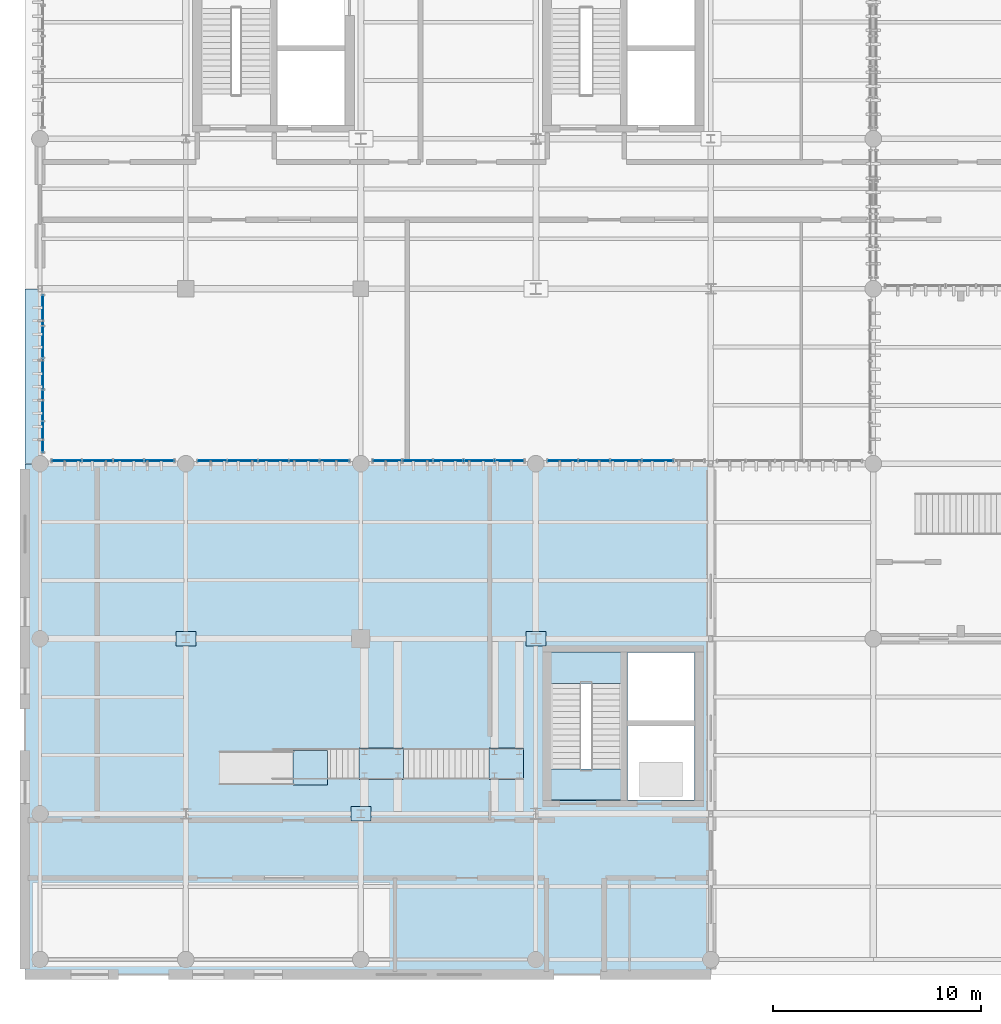
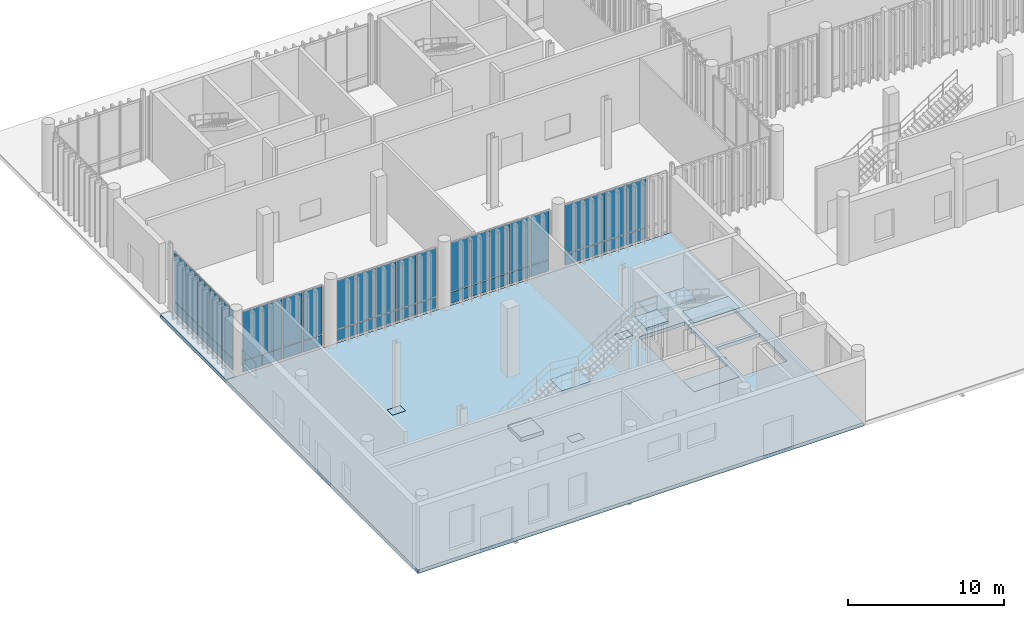
# One storey, part 75 of 112: 49 plates, 8 slabs, 7 elements without a shape of their own.
"""IFC4 building model written with IfcOpenShell, lengths in metres."""

from ifc_helpers import new_model, si_unit, direction, frame, frame_2d, origin_with_axes, origin_2d_with_axis, place, context, subcontext, project, spatial, polyline, rectangle, outline, extrude, material, layer, layer_set, type_object, element, aggregate, save


model = new_model("IFC4")

# Units and contexts
model_context = context("Model", 3, precision=1e-05, world=origin_with_axes(), true_north=direction((0.0, 1.0)))
body_context = subcontext(model_context, "Body", "Model", "MODEL_VIEW")
ifc_project = project(units=[si_unit("LENGTHUNIT", "METRE"), si_unit("AREAUNIT", "SQUARE_METRE"), si_unit("VOLUMEUNIT", "CUBIC_METRE"), si_unit("PLANEANGLEUNIT", "RADIAN"), si_unit("MASSUNIT", "GRAM", prefix="KILO"), si_unit("THERMODYNAMICTEMPERATUREUNIT", "KELVIN")], contexts=[model_context])

# Site, building, storey
site_placement = place(None, origin_with_axes())
site = spatial("IfcSite", under=ifc_project, at=site_placement, CompositionType="ELEMENT")
building_placement = place(site_placement, origin_with_axes())
building = spatial("IfcBuilding", under=site, at=building_placement, Name="Montbau Bow Law Courts", CompositionType="ELEMENT")
storey_placement = place(building_placement, origin_with_axes())
storey = spatial("IfcBuildingStorey", under=building, at=storey_placement, Name="L00", CompositionType="ELEMENT", Elevation=0.0)

# Plates
ifc_material_1 = material(Name="Steel CSA G40.21 Grade 350W (350 MPa)", Category="steel")
ifc_layer_1 = layer(ifc_material_1, 0.05, Name="Base Plate", Category="steel")
ifc_layer_set_1 = layer_set([ifc_layer_1], Name="Steel CSA G40.21 Grade 350W (350 MPa)")
plate_type_1 = type_object("IfcPlateType", Name="PL-BAS-02", PredefinedType="USERDEFINED", material=ifc_layer_set_1)
for number, where, z_axis, x_axis, name in (
    (1, (13.8, 22.2, -0.05), (0.0, 0.0, 1.0), (1.0, 0.0, 0.0), "BP-194:plt_0001"),
    (2, (22.2, 13.8, -0.05), (0.0, 0.0, 1.0), (1.0, 0.0, 0.0), "BP-200:plt_0002"),
    (3, (30.6, 22.2, -0.05), (0.0, 0.0, 1.0), (1.0, 0.0, 0.0), "BP-208:plt_0004"),
):
    element("IfcPlate", number, at=place(None, frame(where, z_axis=z_axis, x_axis=x_axis)), inside=storey, type_object=plate_type_1, Name=name, ObjectType="BASE_PLATE", PredefinedType="USERDEFINED", context=body_context, shape_type="SweptSolid", body=[
        extrude(rectangle(XDim=0.96, YDim=0.68, at=origin_2d_with_axis()), origin_with_axes(), (0.0, 0.0, 1.0), 0.05),
    ])

# Curtain wall, plates
ifc_material_2 = material(Name="Thermally Broken Extruded Aluminium AA 6063-T6", Category="aluminium")
curtain_wall_type = type_object("IfcCurtainWallType", Name="CW-TRC-01", PredefinedType="NOTDEFINED", material=ifc_material_2)
curtain_wall_1_placement = place(None, frame((7.315, 30.74, 0.0), z_axis=(0.0, 0.0, 1.0), x_axis=(1.0, 0.0, 0.0)))
curtain_wall_1 = element("IfcCurtainWall", 4, at=curtain_wall_1_placement, inside=storey, type_object=curtain_wall_type, Name="CW-L00-001:cw_0001", PredefinedType="NOTDEFINED")
ifc_material_3 = material(Name="Triple-Glazed Low-E Argon Insulating Glass Unit", Category="glass")
ifc_layer_2 = layer(ifc_material_3, 0.044, Name="Curtain Panel", Category="glass")
ifc_layer_set_2 = layer_set([ifc_layer_2], Name="Triple-Glazed Low-E Argon Insulating Glass Unit")
plate_type_2 = type_object("IfcPlateType", Name="PL-CWP-01", PredefinedType="CURTAIN_PANEL", material=ifc_layer_set_2)
plate_1_placement = place(None, frame((7.383, 30.74, 0.979), z_axis=(0.0, -1.0, 0.0), x_axis=(1.0, 0.0, 0.0)))
plate_1 = element("IfcPlate", 5, at=plate_1_placement, type_object=plate_type_2, Name="CW-L00-001-P01-2:cw_0001_P01_2", PredefinedType="CURTAIN_PANEL", context=body_context, shape_type="SweptSolid", body=[
    extrude(rectangle(XDim=1.39, YDim=3.785, at=frame_2d((0.695, 1.8925), x_axis=(1.0, 0.0))), frame((0.0, 0.0, -0.022), z_axis=(0.0, 0.0, 1.0), x_axis=(1.0, 0.0, 0.0)), (0.0, 0.0, 1.0), 0.044),
])
plate_2_placement = place(None, frame((8.841, 30.74, 0.979), z_axis=(0.0, -1.0, 0.0), x_axis=(1.0, 0.0, 0.0)))
plate_2 = element("IfcPlate", 6, at=plate_2_placement, type_object=plate_type_2, Name="CW-L00-001-P02-2:cw_0001_P02_2", PredefinedType="CURTAIN_PANEL", context=body_context, shape_type="SweptSolid", body=[
    extrude(rectangle(XDim=1.424, YDim=3.785, at=frame_2d((0.712, 1.8925), x_axis=(1.0, 0.0))), frame((0.0, 0.0, -0.022), z_axis=(0.0, 0.0, 1.0), x_axis=(1.0, 0.0, 0.0)), (0.0, 0.0, 1.0), 0.044),
])
plate_3_placement = place(None, frame((10.334, 30.74, 0.979), z_axis=(0.0, -1.0, 0.0), x_axis=(1.0, 0.0, 0.0)))
plate_3 = element("IfcPlate", 7, at=plate_3_placement, type_object=plate_type_2, Name="CW-L00-001-P03-2:cw_0001_P03_2", PredefinedType="CURTAIN_PANEL", context=body_context, shape_type="SweptSolid", body=[
    extrude(rectangle(XDim=1.425, YDim=3.785, at=frame_2d((0.7125, 1.8925), x_axis=(1.0, 0.0))), frame((0.0, 0.0, -0.022), z_axis=(0.0, 0.0, 1.0), x_axis=(1.0, 0.0, 0.0)), (0.0, 0.0, 1.0), 0.044),
])
plate_4_placement = place(None, frame((11.827, 30.74, 0.979), z_axis=(0.0, -1.0, 0.0), x_axis=(1.0, 0.0, 0.0)))
plate_4 = element("IfcPlate", 8, at=plate_4_placement, type_object=plate_type_2, Name="CW-L00-001-P04-2:cw_0001_P04_2", PredefinedType="CURTAIN_PANEL", context=body_context, shape_type="SweptSolid", body=[
    extrude(rectangle(XDim=1.392, YDim=3.785, at=frame_2d((0.696, 1.8925), x_axis=(1.0, 0.0))), frame((0.0, 0.0, -0.022), z_axis=(0.0, 0.0, 1.0), x_axis=(1.0, 0.0, 0.0)), (0.0, 0.0, 1.0), 0.044),
])

curtain_wall_2_placement = place(None, frame((14.315, 30.74, 0.0), z_axis=(0.0, 0.0, 1.0), x_axis=(1.0, 0.0, 0.0)))
curtain_wall_2 = element("IfcCurtainWall", 9, at=curtain_wall_2_placement, inside=storey, type_object=curtain_wall_type, Name="CW-L00-002:cw_0002", PredefinedType="NOTDEFINED")
plate_5_placement = place(None, frame((14.377, 30.74, 0.982), z_axis=(0.0, -1.0, 0.0), x_axis=(1.0, 0.0, 0.0)))
plate_5 = element("IfcPlate", 10, at=plate_5_placement, type_object=plate_type_2, Name="CW-L00-002-P01-2:cw_0002_P01_2", PredefinedType="CURTAIN_PANEL", context=body_context, shape_type="SweptSolid", body=[
    extrude(rectangle(XDim=1.38, YDim=3.776, at=frame_2d((0.69, 1.888), x_axis=(1.0, 0.0))), frame((0.0, 0.0, -0.022), z_axis=(0.0, 0.0, 1.0), x_axis=(1.0, 0.0, 0.0)), (0.0, 0.0, 1.0), 0.044),
])
plate_6_placement = place(None, frame((15.821, 30.74, 0.982), z_axis=(0.0, -1.0, 0.0), x_axis=(1.0, 0.0, 0.0)))
plate_6 = element("IfcPlate", 11, at=plate_6_placement, type_object=plate_type_2, Name="CW-L00-002-P02-2:cw_0002_P02_2", PredefinedType="CURTAIN_PANEL", context=body_context, shape_type="SweptSolid", body=[
    extrude(rectangle(XDim=1.41, YDim=3.776, at=frame_2d((0.705, 1.888), x_axis=(1.0, 0.0))), frame((0.0, 0.0, -0.022), z_axis=(0.0, 0.0, 1.0), x_axis=(1.0, 0.0, 0.0)), (0.0, 0.0, 1.0), 0.044),
])
plate_7_placement = place(None, frame((17.295, 30.74, 0.982), z_axis=(0.0, -1.0, 0.0), x_axis=(1.0, 0.0, 0.0)))
plate_7 = element("IfcPlate", 12, at=plate_7_placement, type_object=plate_type_2, Name="CW-L00-002-P03-2:cw_0002_P03_2", PredefinedType="CURTAIN_PANEL", context=body_context, shape_type="SweptSolid", body=[
    extrude(rectangle(XDim=1.41, YDim=3.776, at=frame_2d((0.705, 1.888), x_axis=(1.0, 0.0))), frame((0.0, 0.0, -0.022), z_axis=(0.0, 0.0, 1.0), x_axis=(1.0, 0.0, 0.0)), (0.0, 0.0, 1.0), 0.044),
])
plate_8_placement = place(None, frame((18.769, 30.74, 0.982), z_axis=(0.0, -1.0, 0.0), x_axis=(1.0, 0.0, 0.0)))
plate_8 = element("IfcPlate", 13, at=plate_8_placement, type_object=plate_type_2, Name="CW-L00-002-P04-2:cw_0002_P04_2", PredefinedType="CURTAIN_PANEL", context=body_context, shape_type="SweptSolid", body=[
    extrude(rectangle(XDim=1.41, YDim=3.776, at=frame_2d((0.705, 1.888), x_axis=(1.0, 0.0))), frame((0.0, 0.0, -0.022), z_axis=(0.0, 0.0, 1.0), x_axis=(1.0, 0.0, 0.0)), (0.0, 0.0, 1.0), 0.044),
])
plate_9_placement = place(None, frame((20.243, 30.74, 0.982), z_axis=(0.0, -1.0, 0.0), x_axis=(1.0, 0.0, 0.0)))
plate_9 = element("IfcPlate", 14, at=plate_9_placement, type_object=plate_type_2, Name="CW-L00-002-P05-2:cw_0002_P05_2", PredefinedType="CURTAIN_PANEL", context=body_context, shape_type="SweptSolid", body=[
    extrude(rectangle(XDim=1.38, YDim=3.776, at=frame_2d((0.69, 1.888), x_axis=(1.0, 0.0))), frame((0.0, 0.0, -0.022), z_axis=(0.0, 0.0, 1.0), x_axis=(1.0, 0.0, 0.0)), (0.0, 0.0, 1.0), 0.044),
])

curtain_wall_3_placement = place(None, frame((22.715, 30.74, 0.0), z_axis=(0.0, 0.0, 1.0), x_axis=(1.0, 0.0, 0.0)))
curtain_wall_3 = element("IfcCurtainWall", 15, at=curtain_wall_3_placement, inside=storey, type_object=curtain_wall_type, Name="CW-L00-003:cw_0003", PredefinedType="NOTDEFINED")
plate_10_placement = place(None, frame((22.791, 30.74, 0.979), z_axis=(0.0, -1.0, 0.0), x_axis=(1.0, 0.0, 0.0)))
plate_10 = element("IfcPlate", 16, at=plate_10_placement, type_object=plate_type_2, Name="CW-L00-003-P01-2:cw_0003_P01_2", PredefinedType="CURTAIN_PANEL", context=body_context, shape_type="SweptSolid", body=[
    extrude(rectangle(XDim=1.358, YDim=3.785, at=frame_2d((0.679, 1.8925), x_axis=(1.0, 0.0))), frame((0.0, 0.0, -0.022), z_axis=(0.0, 0.0, 1.0), x_axis=(1.0, 0.0, 0.0)), (0.0, 0.0, 1.0), 0.044),
])
plate_11_placement = place(None, frame((24.229, 30.74, 0.979), z_axis=(0.0, -1.0, 0.0), x_axis=(1.0, 0.0, 0.0)))
plate_11 = element("IfcPlate", 17, at=plate_11_placement, type_object=plate_type_2, Name="CW-L00-003-P02-2:cw_0003_P02_2", PredefinedType="CURTAIN_PANEL", context=body_context, shape_type="SweptSolid", body=[
    extrude(rectangle(XDim=1.395, YDim=3.785, at=frame_2d((0.6975, 1.8925), x_axis=(1.0, 0.0))), frame((0.0, 0.0, -0.022), z_axis=(0.0, 0.0, 1.0), x_axis=(1.0, 0.0, 0.0)), (0.0, 0.0, 1.0), 0.044),
])
plate_12_placement = place(None, frame((25.702, 30.74, 0.979), z_axis=(0.0, -1.0, 0.0), x_axis=(1.0, 0.0, 0.0)))
plate_12 = element("IfcPlate", 18, at=plate_12_placement, type_object=plate_type_2, Name="CW-L00-003-P03-2:cw_0003_P03_2", PredefinedType="CURTAIN_PANEL", context=body_context, shape_type="SweptSolid", body=[
    extrude(rectangle(XDim=1.396, YDim=3.785, at=frame_2d((0.698, 1.8925), x_axis=(1.0, 0.0))), frame((0.0, 0.0, -0.022), z_axis=(0.0, 0.0, 1.0), x_axis=(1.0, 0.0, 0.0)), (0.0, 0.0, 1.0), 0.044),
])
plate_13_placement = place(None, frame((27.176, 30.74, 0.979), z_axis=(0.0, -1.0, 0.0), x_axis=(1.0, 0.0, 0.0)))
plate_13 = element("IfcPlate", 19, at=plate_13_placement, type_object=plate_type_2, Name="CW-L00-003-P04-2:cw_0003_P04_2", PredefinedType="CURTAIN_PANEL", context=body_context, shape_type="SweptSolid", body=[
    extrude(rectangle(XDim=1.396, YDim=3.785, at=frame_2d((0.698, 1.8925), x_axis=(1.0, 0.0))), frame((0.0, 0.0, -0.022), z_axis=(0.0, 0.0, 1.0), x_axis=(1.0, 0.0, 0.0)), (0.0, 0.0, 1.0), 0.044),
])
plate_14_placement = place(None, frame((28.65, 30.74, 0.979), z_axis=(0.0, -1.0, 0.0), x_axis=(1.0, 0.0, 0.0)))
plate_14 = element("IfcPlate", 20, at=plate_14_placement, type_object=plate_type_2, Name="CW-L00-003-P05-2:cw_0003_P05_2", PredefinedType="CURTAIN_PANEL", context=body_context, shape_type="SweptSolid", body=[
    extrude(rectangle(XDim=1.359, YDim=3.785, at=frame_2d((0.6795, 1.8925), x_axis=(1.0, 0.0))), frame((0.0, 0.0, -0.022), z_axis=(0.0, 0.0, 1.0), x_axis=(1.0, 0.0, 0.0)), (0.0, 0.0, 1.0), 0.044),
])

curtain_wall_4_placement = place(None, frame((31.115, 30.74, 0.0), z_axis=(0.0, 0.0, 1.0), x_axis=(1.0, 0.0, 0.0)))
curtain_wall_4 = element("IfcCurtainWall", 21, at=curtain_wall_4_placement, inside=storey, type_object=curtain_wall_type, Name="CW-L00-004:cw_0004", PredefinedType="NOTDEFINED")
plate_15_placement = place(None, frame((31.183, 30.74, 0.982), z_axis=(0.0, -1.0, 0.0), x_axis=(1.0, 0.0, 0.0)))
plate_15 = element("IfcPlate", 22, at=plate_15_placement, type_object=plate_type_2, Name="CW-L00-004-P01-2:cw_0004_P01_2", PredefinedType="CURTAIN_PANEL", context=body_context, shape_type="SweptSolid", body=[
    extrude(rectangle(XDim=1.42, YDim=3.776, at=frame_2d((0.71, 1.888), x_axis=(1.0, 0.0))), frame((0.0, 0.0, -0.022), z_axis=(0.0, 0.0, 1.0), x_axis=(1.0, 0.0, 0.0)), (0.0, 0.0, 1.0), 0.044),
])
plate_16_placement = place(None, frame((32.672, 30.74, 0.982), z_axis=(0.0, -1.0, 0.0), x_axis=(1.0, 0.0, 0.0)))
plate_16 = element("IfcPlate", 23, at=plate_16_placement, type_object=plate_type_2, Name="CW-L00-004-P02-2:cw_0004_P02_2", PredefinedType="CURTAIN_PANEL", context=body_context, shape_type="SweptSolid", body=[
    extrude(rectangle(XDim=1.456, YDim=3.776, at=frame_2d((0.728, 1.888), x_axis=(1.0, 0.0))), frame((0.0, 0.0, -0.022), z_axis=(0.0, 0.0, 1.0), x_axis=(1.0, 0.0, 0.0)), (0.0, 0.0, 1.0), 0.044),
])
plate_17_placement = place(None, frame((34.197, 30.74, 0.982), z_axis=(0.0, -1.0, 0.0), x_axis=(1.0, 0.0, 0.0)))
plate_17 = element("IfcPlate", 24, at=plate_17_placement, type_object=plate_type_2, Name="CW-L00-004-P03-2:cw_0004_P03_2", PredefinedType="CURTAIN_PANEL", context=body_context, shape_type="SweptSolid", body=[
    extrude(rectangle(XDim=1.454, YDim=3.776, at=frame_2d((0.727, 1.888), x_axis=(1.0, 0.0))), frame((0.0, 0.0, -0.022), z_axis=(0.0, 0.0, 1.0), x_axis=(1.0, 0.0, 0.0)), (0.0, 0.0, 1.0), 0.044),
])
plate_18_placement = place(None, frame((35.719, 30.74, 0.982), z_axis=(0.0, -1.0, 0.0), x_axis=(1.0, 0.0, 0.0)))
plate_18 = element("IfcPlate", 25, at=plate_18_placement, type_object=plate_type_2, Name="CW-L00-004-P04-2:cw_0004_P04_2", PredefinedType="CURTAIN_PANEL", context=body_context, shape_type="SweptSolid", body=[
    extrude(rectangle(XDim=1.456, YDim=3.776, at=frame_2d((0.728, 1.888), x_axis=(1.0, 0.0))), frame((0.0, 0.0, -0.022), z_axis=(0.0, 0.0, 1.0), x_axis=(1.0, 0.0, 0.0)), (0.0, 0.0, 1.0), 0.044),
])

curtain_wall_5_placement = place(None, frame((6.94, 31.115, 0.0), z_axis=(0.0, 0.0, 1.0), x_axis=(1.0, 0.0, 0.0)))
curtain_wall_5 = element("IfcCurtainWall", 26, at=curtain_wall_5_placement, inside=storey, type_object=curtain_wall_type, Name="CW-L00-011:cw_0011", PredefinedType="NOTDEFINED")
plate_19_placement = place(None, frame((6.94, 31.177, 0.979), z_axis=(1.0, 0.0, 0.0), x_axis=(0.0, 1.0, 0.0)))
plate_19 = element("IfcPlate", 27, at=plate_19_placement, type_object=plate_type_2, Name="CW-L00-011-P01-2:cw_0011_P01_2", PredefinedType="CURTAIN_PANEL", context=body_context, shape_type="SweptSolid", body=[
    extrude(rectangle(XDim=1.429, YDim=3.785, at=frame_2d((0.7145, 1.8925), x_axis=(1.0, 0.0))), frame((0.0, 0.0, -0.022), z_axis=(0.0, 0.0, 1.0), x_axis=(1.0, 0.0, 0.0)), (0.0, 0.0, 1.0), 0.044),
])
plate_20_placement = place(None, frame((6.94, 32.67, 0.979), z_axis=(1.0, 0.0, 0.0), x_axis=(0.0, 1.0, 0.0)))
plate_20 = element("IfcPlate", 28, at=plate_20_placement, type_object=plate_type_2, Name="CW-L00-011-P02-2:cw_0011_P02_2", PredefinedType="CURTAIN_PANEL", context=body_context, shape_type="SweptSolid", body=[
    extrude(rectangle(XDim=1.46, YDim=3.785, at=frame_2d((0.73, 1.8925), x_axis=(1.0, 0.0))), frame((0.0, 0.0, -0.022), z_axis=(0.0, 0.0, 1.0), x_axis=(1.0, 0.0, 0.0)), (0.0, 0.0, 1.0), 0.044),
])
plate_21_placement = place(None, frame((6.94, 34.194, 0.979), z_axis=(1.0, 0.0, 0.0), x_axis=(0.0, 1.0, 0.0)))
plate_21 = element("IfcPlate", 29, at=plate_21_placement, type_object=plate_type_2, Name="CW-L00-011-P03-2:cw_0011_P03_2", PredefinedType="CURTAIN_PANEL", context=body_context, shape_type="SweptSolid", body=[
    extrude(rectangle(XDim=1.459, YDim=3.785, at=frame_2d((0.7295, 1.8925), x_axis=(1.0, 0.0))), frame((0.0, 0.0, -0.022), z_axis=(0.0, 0.0, 1.0), x_axis=(1.0, 0.0, 0.0)), (0.0, 0.0, 1.0), 0.044),
])
plate_22_placement = place(None, frame((6.94, 35.717, 0.979), z_axis=(1.0, 0.0, 0.0), x_axis=(0.0, 1.0, 0.0)))
plate_22 = element("IfcPlate", 30, at=plate_22_placement, type_object=plate_type_2, Name="CW-L00-011-P04-2:cw_0011_P04_2", PredefinedType="CURTAIN_PANEL", context=body_context, shape_type="SweptSolid", body=[
    extrude(rectangle(XDim=1.46, YDim=3.785, at=frame_2d((0.73, 1.8925), x_axis=(1.0, 0.0))), frame((0.0, 0.0, -0.022), z_axis=(0.0, 0.0, 1.0), x_axis=(1.0, 0.0, 0.0)), (0.0, 0.0, 1.0), 0.044),
])
plate_23_placement = place(None, frame((6.94, 37.241, 0.979), z_axis=(1.0, 0.0, 0.0), x_axis=(0.0, 1.0, 0.0)))
plate_23 = element("IfcPlate", 31, at=plate_23_placement, type_object=plate_type_2, Name="CW-L00-011-P05-2:cw_0011_P05_2", PredefinedType="CURTAIN_PANEL", context=body_context, shape_type="SweptSolid", body=[
    extrude(rectangle(XDim=1.429, YDim=3.785, at=frame_2d((0.7145, 1.8925), x_axis=(1.0, 0.0))), frame((0.0, 0.0, -0.022), z_axis=(0.0, 0.0, 1.0), x_axis=(1.0, 0.0, 0.0)), (0.0, 0.0, 1.0), 0.044),
])

# Plate
ifc_material_4 = material(Name="Insulated Ceramic-Frit Spandrel Glazing Unit", Category="glass")
ifc_layer_3 = layer(ifc_material_4, 0.056, Name="Curtain Panel", Category="glass")
ifc_layer_set_3 = layer_set([ifc_layer_3], Name="Insulated Ceramic-Frit Spandrel Glazing Unit")
plate_type_3 = type_object("IfcPlateType", Name="PL-CWP-02", PredefinedType="CURTAIN_PANEL", material=ifc_layer_set_3)
plate_24_placement = place(None, frame((7.383, 30.74, 0.058), z_axis=(0.0, -1.0, 0.0), x_axis=(1.0, 0.0, 0.0)))
plate_24 = element("IfcPlate", 32, at=plate_24_placement, type_object=plate_type_3, Name="CW-L00-001-P01-1:cw_0001_P01_1", PredefinedType="CURTAIN_PANEL", context=body_context, shape_type="SweptSolid", body=[
    extrude(rectangle(XDim=1.39, YDim=0.862, at=frame_2d((0.695, 0.431), x_axis=(1.0, 0.0))), frame((0.0, 0.0, -0.028), z_axis=(0.0, 0.0, 1.0), x_axis=(1.0, 0.0, 0.0)), (0.0, 0.0, 1.0), 0.056),
])

plate_25_placement = place(None, frame((8.841, 30.74, 0.058), z_axis=(0.0, -1.0, 0.0), x_axis=(1.0, 0.0, 0.0)))
plate_25 = element("IfcPlate", 33, at=plate_25_placement, type_object=plate_type_3, Name="CW-L00-001-P02-1:cw_0001_P02_1", PredefinedType="CURTAIN_PANEL", context=body_context, shape_type="SweptSolid", body=[
    extrude(rectangle(XDim=1.424, YDim=0.862, at=frame_2d((0.712, 0.431), x_axis=(1.0, 0.0))), frame((0.0, 0.0, -0.028), z_axis=(0.0, 0.0, 1.0), x_axis=(1.0, 0.0, 0.0)), (0.0, 0.0, 1.0), 0.056),
])

plate_26_placement = place(None, frame((10.334, 30.74, 0.058), z_axis=(0.0, -1.0, 0.0), x_axis=(1.0, 0.0, 0.0)))
plate_26 = element("IfcPlate", 34, at=plate_26_placement, type_object=plate_type_3, Name="CW-L00-001-P03-1:cw_0001_P03_1", PredefinedType="CURTAIN_PANEL", context=body_context, shape_type="SweptSolid", body=[
    extrude(rectangle(XDim=1.425, YDim=0.862, at=frame_2d((0.7125, 0.431), x_axis=(1.0, 0.0))), frame((0.0, 0.0, -0.028), z_axis=(0.0, 0.0, 1.0), x_axis=(1.0, 0.0, 0.0)), (0.0, 0.0, 1.0), 0.056),
])

plate_27_placement = place(None, frame((11.827, 30.74, 0.058), z_axis=(0.0, -1.0, 0.0), x_axis=(1.0, 0.0, 0.0)))
plate_27 = element("IfcPlate", 35, at=plate_27_placement, type_object=plate_type_3, Name="CW-L00-001-P04-1:cw_0001_P04_1", PredefinedType="CURTAIN_PANEL", context=body_context, shape_type="SweptSolid", body=[
    extrude(rectangle(XDim=1.392, YDim=0.862, at=frame_2d((0.696, 0.431), x_axis=(1.0, 0.0))), frame((0.0, 0.0, -0.028), z_axis=(0.0, 0.0, 1.0), x_axis=(1.0, 0.0, 0.0)), (0.0, 0.0, 1.0), 0.056),
])

aggregate(curtain_wall_1, [plate_24, plate_1, plate_25, plate_2, plate_26, plate_3, plate_27, plate_4])

plate_28_placement = place(None, frame((14.377, 30.74, 0.062), z_axis=(0.0, -1.0, 0.0), x_axis=(1.0, 0.0, 0.0)))
plate_28 = element("IfcPlate", 36, at=plate_28_placement, type_object=plate_type_3, Name="CW-L00-002-P01-1:cw_0002_P01_1", PredefinedType="CURTAIN_PANEL", context=body_context, shape_type="SweptSolid", body=[
    extrude(rectangle(XDim=1.38, YDim=0.856, at=frame_2d((0.69, 0.428), x_axis=(1.0, 0.0))), frame((0.0, 0.0, -0.028), z_axis=(0.0, 0.0, 1.0), x_axis=(1.0, 0.0, 0.0)), (0.0, 0.0, 1.0), 0.056),
])

plate_29_placement = place(None, frame((15.821, 30.74, 0.062), z_axis=(0.0, -1.0, 0.0), x_axis=(1.0, 0.0, 0.0)))
plate_29 = element("IfcPlate", 37, at=plate_29_placement, type_object=plate_type_3, Name="CW-L00-002-P02-1:cw_0002_P02_1", PredefinedType="CURTAIN_PANEL", context=body_context, shape_type="SweptSolid", body=[
    extrude(rectangle(XDim=1.41, YDim=0.856, at=frame_2d((0.705, 0.428), x_axis=(1.0, 0.0))), frame((0.0, 0.0, -0.028), z_axis=(0.0, 0.0, 1.0), x_axis=(1.0, 0.0, 0.0)), (0.0, 0.0, 1.0), 0.056),
])

plate_30_placement = place(None, frame((17.295, 30.74, 0.062), z_axis=(0.0, -1.0, 0.0), x_axis=(1.0, 0.0, 0.0)))
plate_30 = element("IfcPlate", 38, at=plate_30_placement, type_object=plate_type_3, Name="CW-L00-002-P03-1:cw_0002_P03_1", PredefinedType="CURTAIN_PANEL", context=body_context, shape_type="SweptSolid", body=[
    extrude(rectangle(XDim=1.41, YDim=0.856, at=frame_2d((0.705, 0.428), x_axis=(1.0, 0.0))), frame((0.0, 0.0, -0.028), z_axis=(0.0, 0.0, 1.0), x_axis=(1.0, 0.0, 0.0)), (0.0, 0.0, 1.0), 0.056),
])

plate_31_placement = place(None, frame((18.769, 30.74, 0.062), z_axis=(0.0, -1.0, 0.0), x_axis=(1.0, 0.0, 0.0)))
plate_31 = element("IfcPlate", 39, at=plate_31_placement, type_object=plate_type_3, Name="CW-L00-002-P04-1:cw_0002_P04_1", PredefinedType="CURTAIN_PANEL", context=body_context, shape_type="SweptSolid", body=[
    extrude(rectangle(XDim=1.41, YDim=0.856, at=frame_2d((0.705, 0.428), x_axis=(1.0, 0.0))), frame((0.0, 0.0, -0.028), z_axis=(0.0, 0.0, 1.0), x_axis=(1.0, 0.0, 0.0)), (0.0, 0.0, 1.0), 0.056),
])

plate_32_placement = place(None, frame((20.243, 30.74, 0.062), z_axis=(0.0, -1.0, 0.0), x_axis=(1.0, 0.0, 0.0)))
plate_32 = element("IfcPlate", 40, at=plate_32_placement, type_object=plate_type_3, Name="CW-L00-002-P05-1:cw_0002_P05_1", PredefinedType="CURTAIN_PANEL", context=body_context, shape_type="SweptSolid", body=[
    extrude(rectangle(XDim=1.38, YDim=0.856, at=frame_2d((0.69, 0.428), x_axis=(1.0, 0.0))), frame((0.0, 0.0, -0.028), z_axis=(0.0, 0.0, 1.0), x_axis=(1.0, 0.0, 0.0)), (0.0, 0.0, 1.0), 0.056),
])

aggregate(curtain_wall_2, [plate_28, plate_5, plate_29, plate_6, plate_30, plate_7, plate_31, plate_8, plate_32, plate_9])

plate_33_placement = place(None, frame((22.791, 30.74, 0.058), z_axis=(0.0, -1.0, 0.0), x_axis=(1.0, 0.0, 0.0)))
plate_33 = element("IfcPlate", 41, at=plate_33_placement, type_object=plate_type_3, Name="CW-L00-003-P01-1:cw_0003_P01_1", PredefinedType="CURTAIN_PANEL", context=body_context, shape_type="SweptSolid", body=[
    extrude(rectangle(XDim=1.358, YDim=0.862, at=frame_2d((0.679, 0.431), x_axis=(1.0, 0.0))), frame((0.0, 0.0, -0.028), z_axis=(0.0, 0.0, 1.0), x_axis=(1.0, 0.0, 0.0)), (0.0, 0.0, 1.0), 0.056),
])

plate_34_placement = place(None, frame((24.229, 30.74, 0.058), z_axis=(0.0, -1.0, 0.0), x_axis=(1.0, 0.0, 0.0)))
plate_34 = element("IfcPlate", 42, at=plate_34_placement, type_object=plate_type_3, Name="CW-L00-003-P02-1:cw_0003_P02_1", PredefinedType="CURTAIN_PANEL", context=body_context, shape_type="SweptSolid", body=[
    extrude(rectangle(XDim=1.395, YDim=0.862, at=frame_2d((0.6975, 0.431), x_axis=(1.0, 0.0))), frame((0.0, 0.0, -0.028), z_axis=(0.0, 0.0, 1.0), x_axis=(1.0, 0.0, 0.0)), (0.0, 0.0, 1.0), 0.056),
])

plate_35_placement = place(None, frame((25.702, 30.74, 0.058), z_axis=(0.0, -1.0, 0.0), x_axis=(1.0, 0.0, 0.0)))
plate_35 = element("IfcPlate", 43, at=plate_35_placement, type_object=plate_type_3, Name="CW-L00-003-P03-1:cw_0003_P03_1", PredefinedType="CURTAIN_PANEL", context=body_context, shape_type="SweptSolid", body=[
    extrude(rectangle(XDim=1.396, YDim=0.862, at=frame_2d((0.698, 0.431), x_axis=(1.0, 0.0))), frame((0.0, 0.0, -0.028), z_axis=(0.0, 0.0, 1.0), x_axis=(1.0, 0.0, 0.0)), (0.0, 0.0, 1.0), 0.056),
])

plate_36_placement = place(None, frame((27.176, 30.74, 0.058), z_axis=(0.0, -1.0, 0.0), x_axis=(1.0, 0.0, 0.0)))
plate_36 = element("IfcPlate", 44, at=plate_36_placement, type_object=plate_type_3, Name="CW-L00-003-P04-1:cw_0003_P04_1", PredefinedType="CURTAIN_PANEL", context=body_context, shape_type="SweptSolid", body=[
    extrude(rectangle(XDim=1.396, YDim=0.862, at=frame_2d((0.698, 0.431), x_axis=(1.0, 0.0))), frame((0.0, 0.0, -0.028), z_axis=(0.0, 0.0, 1.0), x_axis=(1.0, 0.0, 0.0)), (0.0, 0.0, 1.0), 0.056),
])

plate_37_placement = place(None, frame((28.65, 30.74, 0.058), z_axis=(0.0, -1.0, 0.0), x_axis=(1.0, 0.0, 0.0)))
plate_37 = element("IfcPlate", 45, at=plate_37_placement, type_object=plate_type_3, Name="CW-L00-003-P05-1:cw_0003_P05_1", PredefinedType="CURTAIN_PANEL", context=body_context, shape_type="SweptSolid", body=[
    extrude(rectangle(XDim=1.359, YDim=0.862, at=frame_2d((0.6795, 0.431), x_axis=(1.0, 0.0))), frame((0.0, 0.0, -0.028), z_axis=(0.0, 0.0, 1.0), x_axis=(1.0, 0.0, 0.0)), (0.0, 0.0, 1.0), 0.056),
])

aggregate(curtain_wall_3, [plate_33, plate_10, plate_34, plate_11, plate_35, plate_12, plate_36, plate_13, plate_37, plate_14])

plate_38_placement = place(None, frame((31.183, 30.74, 0.062), z_axis=(0.0, -1.0, 0.0), x_axis=(1.0, 0.0, 0.0)))
plate_38 = element("IfcPlate", 46, at=plate_38_placement, type_object=plate_type_3, Name="CW-L00-004-P01-1:cw_0004_P01_1", PredefinedType="CURTAIN_PANEL", context=body_context, shape_type="SweptSolid", body=[
    extrude(rectangle(XDim=1.42, YDim=0.856, at=frame_2d((0.71, 0.428), x_axis=(1.0, 0.0))), frame((0.0, 0.0, -0.028), z_axis=(0.0, 0.0, 1.0), x_axis=(1.0, 0.0, 0.0)), (0.0, 0.0, 1.0), 0.056),
])

plate_39_placement = place(None, frame((32.672, 30.74, 0.062), z_axis=(0.0, -1.0, 0.0), x_axis=(1.0, 0.0, 0.0)))
plate_39 = element("IfcPlate", 47, at=plate_39_placement, type_object=plate_type_3, Name="CW-L00-004-P02-1:cw_0004_P02_1", PredefinedType="CURTAIN_PANEL", context=body_context, shape_type="SweptSolid", body=[
    extrude(rectangle(XDim=1.456, YDim=0.856, at=frame_2d((0.728, 0.428), x_axis=(1.0, 0.0))), frame((0.0, 0.0, -0.028), z_axis=(0.0, 0.0, 1.0), x_axis=(1.0, 0.0, 0.0)), (0.0, 0.0, 1.0), 0.056),
])

plate_40_placement = place(None, frame((34.197, 30.74, 0.062), z_axis=(0.0, -1.0, 0.0), x_axis=(1.0, 0.0, 0.0)))
plate_40 = element("IfcPlate", 48, at=plate_40_placement, type_object=plate_type_3, Name="CW-L00-004-P03-1:cw_0004_P03_1", PredefinedType="CURTAIN_PANEL", context=body_context, shape_type="SweptSolid", body=[
    extrude(rectangle(XDim=1.454, YDim=0.856, at=frame_2d((0.727, 0.428), x_axis=(1.0, 0.0))), frame((0.0, 0.0, -0.028), z_axis=(0.0, 0.0, 1.0), x_axis=(1.0, 0.0, 0.0)), (0.0, 0.0, 1.0), 0.056),
])

plate_41_placement = place(None, frame((35.719, 30.74, 0.062), z_axis=(0.0, -1.0, 0.0), x_axis=(1.0, 0.0, 0.0)))
plate_41 = element("IfcPlate", 49, at=plate_41_placement, type_object=plate_type_3, Name="CW-L00-004-P04-1:cw_0004_P04_1", PredefinedType="CURTAIN_PANEL", context=body_context, shape_type="SweptSolid", body=[
    extrude(rectangle(XDim=1.456, YDim=0.856, at=frame_2d((0.728, 0.428), x_axis=(1.0, 0.0))), frame((0.0, 0.0, -0.028), z_axis=(0.0, 0.0, 1.0), x_axis=(1.0, 0.0, 0.0)), (0.0, 0.0, 1.0), 0.056),
])

aggregate(curtain_wall_4, [plate_38, plate_15, plate_39, plate_16, plate_40, plate_17, plate_41, plate_18])

plate_42_placement = place(None, frame((6.94, 31.177, 0.058), z_axis=(1.0, 0.0, 0.0), x_axis=(0.0, 1.0, 0.0)))
plate_42 = element("IfcPlate", 50, at=plate_42_placement, type_object=plate_type_3, Name="CW-L00-011-P01-1:cw_0011_P01_1", PredefinedType="CURTAIN_PANEL", context=body_context, shape_type="SweptSolid", body=[
    extrude(rectangle(XDim=1.429, YDim=0.862, at=frame_2d((0.7145, 0.431), x_axis=(1.0, 0.0))), frame((0.0, 0.0, -0.028), z_axis=(0.0, 0.0, 1.0), x_axis=(1.0, 0.0, 0.0)), (0.0, 0.0, 1.0), 0.056),
])

plate_43_placement = place(None, frame((6.94, 32.67, 0.058), z_axis=(1.0, 0.0, 0.0), x_axis=(0.0, 1.0, 0.0)))
plate_43 = element("IfcPlate", 51, at=plate_43_placement, type_object=plate_type_3, Name="CW-L00-011-P02-1:cw_0011_P02_1", PredefinedType="CURTAIN_PANEL", context=body_context, shape_type="SweptSolid", body=[
    extrude(rectangle(XDim=1.46, YDim=0.862, at=frame_2d((0.73, 0.431), x_axis=(1.0, 0.0))), frame((0.0, 0.0, -0.028), z_axis=(0.0, 0.0, 1.0), x_axis=(1.0, 0.0, 0.0)), (0.0, 0.0, 1.0), 0.056),
])

plate_44_placement = place(None, frame((6.94, 34.194, 0.058), z_axis=(1.0, 0.0, 0.0), x_axis=(0.0, 1.0, 0.0)))
plate_44 = element("IfcPlate", 52, at=plate_44_placement, type_object=plate_type_3, Name="CW-L00-011-P03-1:cw_0011_P03_1", PredefinedType="CURTAIN_PANEL", context=body_context, shape_type="SweptSolid", body=[
    extrude(rectangle(XDim=1.459, YDim=0.862, at=frame_2d((0.7295, 0.431), x_axis=(1.0, 0.0))), frame((0.0, 0.0, -0.028), z_axis=(0.0, 0.0, 1.0), x_axis=(1.0, 0.0, 0.0)), (0.0, 0.0, 1.0), 0.056),
])

plate_45_placement = place(None, frame((6.94, 35.717, 0.058), z_axis=(1.0, 0.0, 0.0), x_axis=(0.0, 1.0, 0.0)))
plate_45 = element("IfcPlate", 53, at=plate_45_placement, type_object=plate_type_3, Name="CW-L00-011-P04-1:cw_0011_P04_1", PredefinedType="CURTAIN_PANEL", context=body_context, shape_type="SweptSolid", body=[
    extrude(rectangle(XDim=1.46, YDim=0.862, at=frame_2d((0.73, 0.431), x_axis=(1.0, 0.0))), frame((0.0, 0.0, -0.028), z_axis=(0.0, 0.0, 1.0), x_axis=(1.0, 0.0, 0.0)), (0.0, 0.0, 1.0), 0.056),
])

plate_46_placement = place(None, frame((6.94, 37.241, 0.058), z_axis=(1.0, 0.0, 0.0), x_axis=(0.0, 1.0, 0.0)))
plate_46 = element("IfcPlate", 54, at=plate_46_placement, type_object=plate_type_3, Name="CW-L00-011-P05-1:cw_0011_P05_1", PredefinedType="CURTAIN_PANEL", context=body_context, shape_type="SweptSolid", body=[
    extrude(rectangle(XDim=1.429, YDim=0.862, at=frame_2d((0.7145, 0.431), x_axis=(1.0, 0.0))), frame((0.0, 0.0, -0.028), z_axis=(0.0, 0.0, 1.0), x_axis=(1.0, 0.0, 0.0)), (0.0, 0.0, 1.0), 0.056),
])

aggregate(curtain_wall_5, [plate_42, plate_19, plate_43, plate_20, plate_44, plate_21, plate_45, plate_22, plate_46, plate_23])

# Slabs
ifc_material_5 = material(Name="Concrete CSA A23.1 f'c 40 MPa", Category="concrete")
ifc_layer_4 = layer(ifc_material_5, 0.28, Name="Floor Slab", Category="concrete")
ifc_layer_set_4 = layer_set([ifc_layer_4], Name="Concrete CSA A23.1 f'c 40 MPa")
slab_type_1 = type_object("IfcSlabType", Name="SL-FLR-05", PredefinedType="FLOOR", material=ifc_layer_set_4)
slab_1_placement = place(None, frame((0.0, 0.0, -0.28), z_axis=(0.0, 0.0, 1.0), x_axis=(1.0, 0.0, 0.0)))
element("IfcSlab", 55, at=slab_1_placement, inside=storey, type_object=slab_type_1, Name="SL-V1-L00:slb_0005", PredefinedType="FLOOR", context=body_context, shape_type="SweptSolid", body=[
    extrude(outline(polyline([(6.08, 6.08), (39.0, 6.08), (39.0, 30.6), (6.08, 30.6), (6.08, 6.08)]), holes=[polyline([(31.32, 14.488), (34.7, 14.488), (34.7, 21.53), (31.32, 21.53), (31.32, 14.488)]), polyline([(35.0, 14.47), (38.21, 14.47), (38.21, 18.021), (35.0, 18.021), (35.0, 14.47)]), polyline([(35.0, 18.261), (38.21, 18.261), (38.21, 21.53), (35.0, 21.53), (35.0, 18.261)])]), origin_with_axes(), (0.0, 0.0, 1.0), 0.28),
])
ifc_layer_5 = layer(ifc_material_5, 0.3, Name="Floor Slab", Category="concrete")
ifc_layer_set_5 = layer_set([ifc_layer_5], Name="Concrete CSA A23.1 f'c 40 MPa")
slab_type_2 = type_object("IfcSlabType", Name="SL-FLR-06", PredefinedType="FLOOR", material=ifc_layer_set_5)
slab_2_placement = place(None, origin_with_axes())
element("IfcSlab", 56, at=slab_2_placement, inside=storey, type_object=slab_type_2, Name="DAIS-R-BF2:slb_0093", PredefinedType="FLOOR", context=body_context, shape_type="SweptSolid", body=[
    extrude(outline(polyline([(18.955, 15.175), (20.6, 15.175), (20.6, 16.825), (18.955, 16.825), (18.955, 15.175)])), origin_with_axes(), (0.0, 0.0, 1.0), 0.3),
])

# Stair, slabs
stair_type_1 = type_object("IfcStairType", Name="ST-LIB-1600", PredefinedType="STRAIGHT_RUN_STAIR", material=ifc_material_1)
stair_1_placement = place(None, frame((17.95, 16.2, 0.0), z_axis=(0.0, 0.0, 1.0), x_axis=(1.0, 0.0, 0.0)))
stair_1 = element("IfcStair", 57, at=stair_1_placement, inside=storey, type_object=stair_type_1, Name="ST-CER-02:str_0064", PredefinedType="STRAIGHT_RUN_STAIR")
ifc_layer_6 = layer(ifc_material_5, 0.18, Name="Landing", Category="concrete")
ifc_layer_set_6 = layer_set([ifc_layer_6], Name="Concrete CSA A23.1 f'c 40 MPa")
slab_type_3 = type_object("IfcSlabType", Name="SL-LND-01", PredefinedType="LANDING", material=ifc_layer_set_6)
slab_3_placement = place(None, frame((0.0, 0.0, 2.52), z_axis=(0.0, 0.0, 1.0), x_axis=(1.0, 0.0, 0.0)))
slab_3 = element("IfcSlab", 58, at=slab_3_placement, type_object=slab_type_3, Name="ST-CER-02-LM:str_0064_LM", PredefinedType="LANDING", context=body_context, shape_type="SweptSolid", body=[
    extrude(outline(polyline([(22.11, 15.45), (24.24, 15.45), (24.24, 16.95), (22.11, 16.95), (22.11, 15.45)])), origin_with_axes(), (0.0, 0.0, 1.0), 0.18),
])
slab_4_placement = place(None, frame((0.0, 0.0, 5.22), z_axis=(0.0, 0.0, 1.0), x_axis=(1.0, 0.0, 0.0)))
slab_4 = element("IfcSlab", 59, at=slab_4_placement, type_object=slab_type_3, Name="ST-CER-02-LT:str_0064_LT", PredefinedType="LANDING", context=body_context, shape_type="SweptSolid", body=[
    extrude(outline(polyline([(28.36, 15.45), (30.02, 15.45), (30.02, 16.95), (28.36, 16.95), (28.36, 15.45)])), origin_with_axes(), (0.0, 0.0, 1.0), 0.18),
])
aggregate(stair_1, [slab_3, slab_4])

stair_type_2 = type_object("IfcStairType", Name="ST-CER-1650", PredefinedType="HALF_TURN_STAIR", material=ifc_material_5)
stair_2_placement = place(None, frame((32.085, 15.9, 0.0), z_axis=(0.0, 0.0, 1.0), x_axis=(1.0, 0.0, 0.0)))
stair_2 = element("IfcStair", 60, at=stair_2_placement, inside=storey, type_object=stair_type_2, Name="ST-CER1-L00:str_0060", PredefinedType="HALF_TURN_STAIR")
ifc_layer_7 = layer(ifc_material_5, 0.21, Name="Landing", Category="concrete")
ifc_layer_set_7 = layer_set([ifc_layer_7], Name="Concrete CSA A23.1 f'c 40 MPa")
slab_type_4 = type_object("IfcSlabType", Name="SL-LND-02", PredefinedType="LANDING", material=ifc_layer_set_7)
slab_5_placement = place(None, frame((0.0, 0.0, -0.21), z_axis=(0.0, 0.0, 1.0), x_axis=(1.0, 0.0, 0.0)))
slab_5 = element("IfcSlab", 61, at=slab_5_placement, type_object=slab_type_4, Name="ST-CER1-L00-LB:str_0060_LB", PredefinedType="LANDING", context=body_context, shape_type="SweptSolid", body=[
    extrude(outline(polyline([(31.32, 14.47), (34.7, 14.47), (34.7, 15.94), (31.32, 15.94), (31.32, 14.47)])), origin_with_axes(), (0.0, 0.0, 1.0), 0.21),
])
slab_6_placement = place(None, frame((0.0, 0.0, 2.49), z_axis=(0.0, 0.0, 1.0), x_axis=(1.0, 0.0, 0.0)))
slab_6 = element("IfcSlab", 62, at=slab_6_placement, type_object=slab_type_4, Name="ST-CER1-L00-LM:str_0060_LM", PredefinedType="LANDING", context=body_context, shape_type="SweptSolid", body=[
    extrude(outline(polyline([(31.32, 20.06), (34.7, 20.06), (34.7, 21.56), (31.32, 21.56), (31.32, 20.06)])), origin_with_axes(), (0.0, 0.0, 1.0), 0.21),
])
slab_7_placement = place(None, frame((0.0, 0.0, 5.19), z_axis=(0.0, 0.0, 1.0), x_axis=(1.0, 0.0, 0.0)))
slab_7 = element("IfcSlab", 63, at=slab_7_placement, type_object=slab_type_4, Name="ST-CER1-L00-LT:str_0060_LT", PredefinedType="LANDING", context=body_context, shape_type="SweptSolid", body=[
    extrude(outline(polyline([(31.32, 14.44), (34.7, 14.44), (34.7, 15.94), (31.32, 15.94), (31.32, 14.44)])), origin_with_axes(), (0.0, 0.0, 1.0), 0.21),
])
aggregate(stair_2, [slab_5, slab_6, slab_7])

# Slab
ifc_layer_8 = layer(ifc_material_5, 0.29, Name="Roof Slab", Category="concrete")
ifc_layer_set_8 = layer_set([ifc_layer_8], Name="Concrete CSA A23.1 f'c 40 MPa")
slab_type_5 = type_object("IfcSlabType", Name="SL-ROF-02", PredefinedType="ROOF", material=ifc_layer_set_8)
slab_8_placement = place(None, frame((0.0, 0.0, -0.29), z_axis=(0.0, 0.0, 1.0), x_axis=(1.0, 0.0, 0.0)))
element("IfcSlab", 64, at=slab_8_placement, inside=storey, type_object=slab_type_5, Name="RF-SLB-LID-L00-05:slb_0056", PredefinedType="ROOF", context=body_context, shape_type="SweptSolid", body=[
    extrude(outline(polyline([(6.796, 30.604), (6.08, 30.604), (6.08, 38.996), (6.796, 38.996), (6.796, 30.604)])), origin_with_axes(), (0.0, 0.0, 1.0), 0.29),
])

save(model, "model.ifc")
